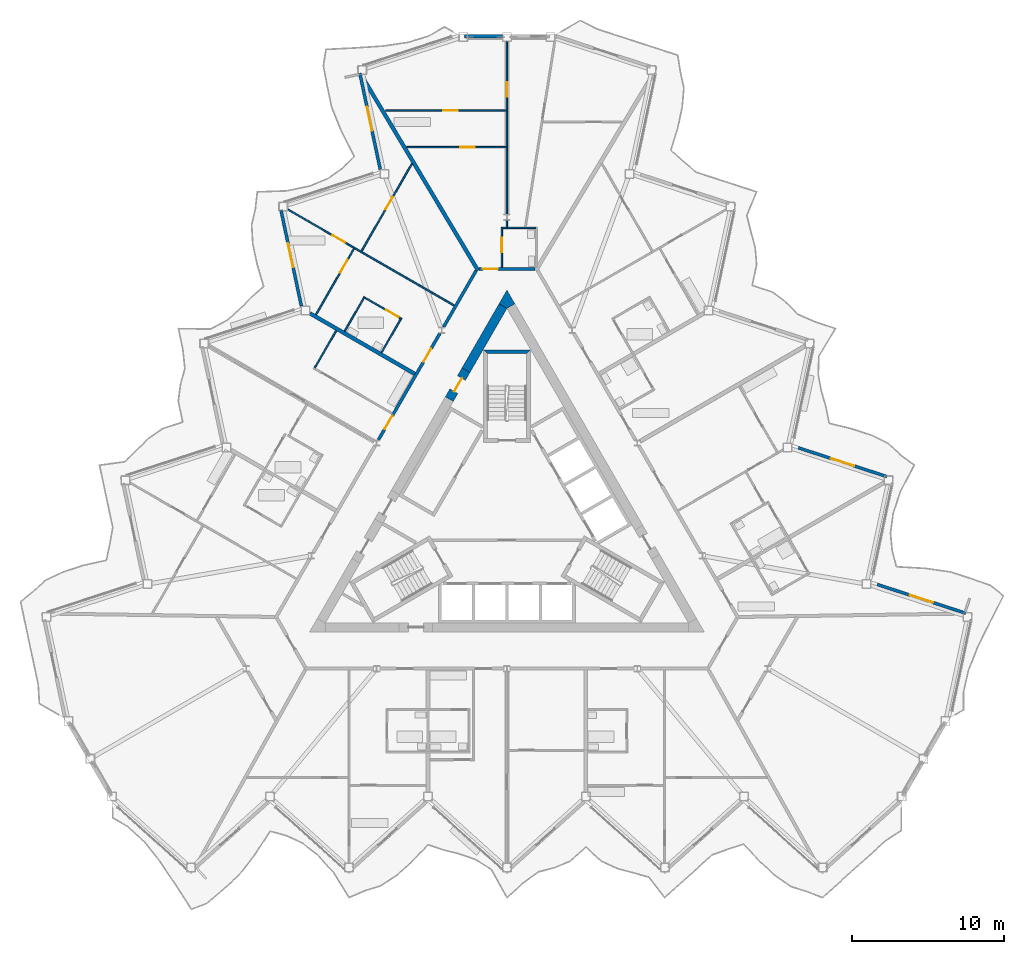
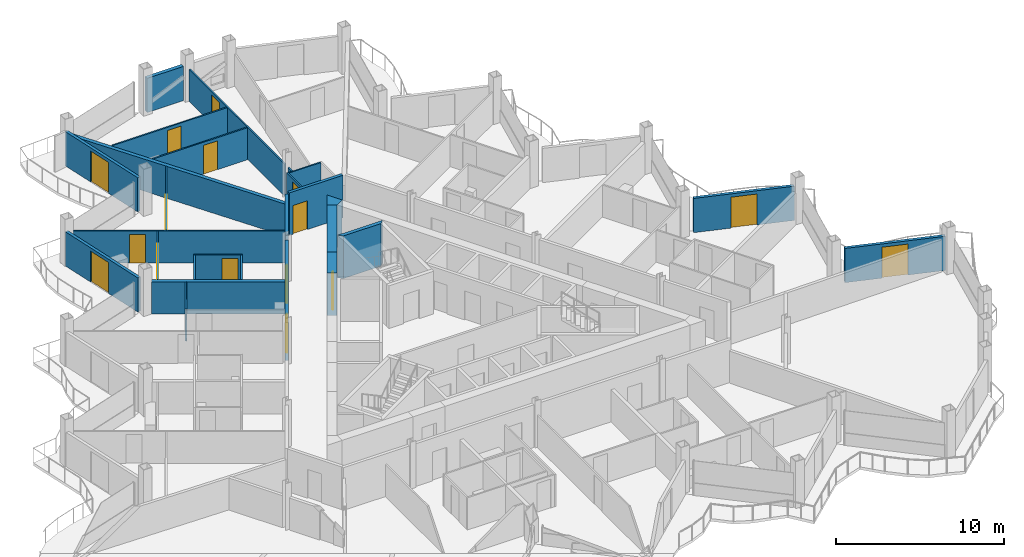
# One storey, part 17 of 26: 27 walls, 16 doors, 16 openings.
"""IFC4 building model written with IfcOpenShell, lengths in metres."""

from ifc_helpers import new_model, si_unit, direction, frame, frame_2d, origin, place, context, subcontext, project, spatial, polyline, rectangle, outline, extrude, material, layer, layer_set, type_object, element, fill, save


model = new_model("IFC4")

# Units and contexts
model_context = context("Model", 3, precision=1e-05, world=origin(), true_north=direction((0.0, 1.0)))
body_context = subcontext(model_context, "Body", "Model", "MODEL_VIEW")
ifc_project = project(units=[si_unit("LENGTHUNIT", "METRE"), si_unit("AREAUNIT", "SQUARE_METRE"), si_unit("VOLUMEUNIT", "CUBIC_METRE"), si_unit("PLANEANGLEUNIT", "RADIAN"), si_unit("MASSUNIT", "GRAM", prefix="KILO")], contexts=[model_context])

# Site, building, storey
site_placement = place(None, origin())
site = spatial("IfcSite", under=ifc_project, at=site_placement, CompositionType="ELEMENT")
building_placement = place(site_placement, origin())
building = spatial("IfcBuilding", under=site, at=building_placement, Name="Cormorant Prow Tower", CompositionType="ELEMENT")
storey_placement = place(building_placement, frame((0.0, 0.0, 322.199951171875)))
storey = spatial("IfcBuildingStorey", under=building, at=storey_placement, Name="L71", CompositionType="ELEMENT", Elevation=322.199951171875)

# Walls
ifc_material_1 = material(Name="Concrete 8000 psi", Category="concrete")
ifc_layer_1 = layer(ifc_material_1, 0.60009765625)
ifc_layer_set_1 = layer_set([ifc_layer_1], Name="Concrete 8000 psi")
wall_type_1 = type_object("IfcWallType", Name="Core shear wall 600", PredefinedType="SHEAR", material=ifc_layer_set_1)
wall_1_placement = place(storey_placement, frame((-0.259765625, 13.961181640625, 0.0), z_axis=(0.0, 0.0, 1.0), x_axis=(-0.50000604952, -0.866021911064, 0.0)))
element("IfcWall", 1, at=wall_1_placement, inside=storey, type_object=wall_type_1, Name="Core wall", PredefinedType="SHEAR", context=body_context, shape_type="SweptSolid", body=[
    extrude(rectangle(XDim=4.86865234375, YDim=0.60009765625, at=frame_2d((2.434326171875, 0.0))), origin(), (0.0, 0.0, 1.0), 3.10009765625),
])
wall_2_placement = place(storey_placement, origin())
element("IfcWall", 2, at=wall_2_placement, inside=storey, type_object=wall_type_1, Name="Core wall corner", PredefinedType="SHEAR", context=body_context, shape_type="SweptSolid", body=[
    extrude(outline(polyline([(-0.51953125, 14.111083984375), (0.0, 15.010986328125), (0.51953125, 14.111083984375), (0.0, 13.81103515625), (-0.51953125, 14.111083984375)])), origin(), (0.0, 0.0, 1.0), 3.10009765625),
])

# Wall, opening, door
wall_3_placement = place(storey_placement, frame((-2.694091796875, 9.744873046875, 0.0), z_axis=(0.0, 0.0, 1.0), x_axis=(-0.50002983664, -0.866008176907, 0.0)))
wall_3 = element("IfcWall", 3, at=wall_3_placement, inside=storey, type_object=wall_type_1, Name="Core wall door panel", PredefinedType="SHEAR", context=body_context, shape_type="SweptSolid", body=[
    extrude(rectangle(XDim=2.199951171875, YDim=0.60009765625, at=frame_2d((1.10009765625, 0.0))), origin(), (0.0, 0.0, 1.0), 3.10009765625),
])
opening_1_placement = place(wall_3_placement, frame((0.60009765625, 0.0, 0.0)))
opening_1 = element("IfcOpeningElement", 4, at=opening_1_placement, cuts=wall_3, Name="Opening L71-C17", PredefinedType="OPENING", context=body_context, shape_type="SweptSolid", body=[
    extrude(rectangle(XDim=1.0, YDim=2.10009765625, at=frame_2d((0.5, 1.050048828125))), frame((0.0, 0.31005859375, 0.0), z_axis=(0.0, -1.0, 0.0), x_axis=(1.0, 0.0, 0.0)), (0.0, 0.0, 1.0), 0.6201171875),
])
ifc_material_2 = material(Name="Painted steel", Category="steel")
door_type_1 = type_object("IfcDoorType", Name="Service door 1000x2100", OperationType="NOTDEFINED", PredefinedType="DOOR", material=ifc_material_2)
door_1_placement = place(opening_1_placement, origin())
door_1 = element("IfcDoor", 5, at=door_1_placement, inside=storey, type_object=door_type_1, Name="Core door, Refuse store", OperationType="SINGLE_SWING_LEFT", OverallHeight=2.10009765625, OverallWidth=1.0, PredefinedType="DOOR", context=body_context, shape_type="SweptSolid", body=[
    extrude(rectangle(XDim=1.0, YDim=2.10009765625, at=frame_2d((0.5, 1.050048828125))), frame((0.0, 0.05517578125, 0.0), z_axis=(0.0, -1.0, 0.0), x_axis=(1.0, 0.0, 0.0)), (0.0, 0.0, 1.0), 0.050048828125),
])
fill(opening_1, door_1)

# Wall, openings, doors
ifc_material_3 = material(Name="Gypsum board corridor wall")
ifc_layer_2 = layer(ifc_material_3, 0.199951171875)
ifc_layer_set_2 = layer_set([ifc_layer_2], Name="Gypsum board corridor wall")
wall_type_2 = type_object("IfcWallType", Name="Corridor wall 200", PredefinedType="PARTITIONING", material=ifc_layer_set_2)
wall_4_placement = place(storey_placement, frame((-8.45849609375, 5.160400390625, 0.0), z_axis=(0.0, 0.0, 1.0), x_axis=(0.499984266882, 0.866034487114, 0.0)))
wall_4 = element("IfcWall", 6, at=wall_4_placement, inside=storey, type_object=wall_type_2, Name="Corridor wall", PredefinedType="PARTITIONING", context=body_context, shape_type="SweptSolid", body=[
    extrude(rectangle(XDim=8.098876953125, YDim=0.199951171875, at=frame_2d((4.04931640625, 0.0))), origin(), (0.0, 0.0, 1.0), 3.10009765625),
])
opening_2_placement = place(wall_4_placement, frame((5.93505859375, 0.0, 0.0)))
opening_2 = element("IfcOpeningElement", 7, at=opening_2_placement, cuts=wall_4, Name="Opening L71-F39", PredefinedType="OPENING", context=body_context, shape_type="SweptSolid", body=[
    extrude(rectangle(XDim=1.0, YDim=2.10009765625, at=frame_2d((0.5, 1.050048828125))), frame((0.0, 0.10986328125, 0.0), z_axis=(0.0, -1.0, 0.0), x_axis=(1.0, 0.0, 0.0)), (0.0, 0.0, 1.0), 0.219970703125),
])
opening_3_placement = place(wall_4_placement, frame((0.829833984375, 0.0, 0.0)))
opening_3 = element("IfcOpeningElement", 8, at=opening_3_placement, cuts=wall_4, Name="Opening L71-F44", PredefinedType="OPENING", context=body_context, shape_type="SweptSolid", body=[
    extrude(rectangle(XDim=1.0, YDim=2.10009765625, at=frame_2d((0.5, 1.050048828125))), frame((0.0, 0.10986328125, 0.0), z_axis=(0.0, -1.0, 0.0), x_axis=(1.0, 0.0, 0.0)), (0.0, 0.0, 1.0), 0.219970703125),
])
ifc_material_4 = material(Name="Timber door leaf", Category="wood")
door_type_2 = type_object("IfcDoorType", Name="Flat or room entrance door 1000x2100", OperationType="NOTDEFINED", PredefinedType="DOOR", material=ifc_material_4)
door_2_placement = place(opening_2_placement, origin())
door_2 = element("IfcDoor", 9, at=door_2_placement, inside=storey, type_object=door_type_2, Name="Living room door", OperationType="SINGLE_SWING_LEFT", OverallHeight=2.10009765625, OverallWidth=1.0, PredefinedType="DOOR", context=body_context, shape_type="SweptSolid", body=[
    extrude(rectangle(XDim=1.0, YDim=2.10009765625, at=frame_2d((0.5, 1.050048828125))), frame((0.0, 0.02490234375, 0.0), z_axis=(0.0, -1.0, 0.0), x_axis=(1.0, 0.0, 0.0)), (0.0, 0.0, 1.0), 0.050048828125),
])
fill(opening_2, door_2)
door_3_placement = place(opening_3_placement, origin())
door_3 = element("IfcDoor", 10, at=door_3_placement, inside=storey, type_object=door_type_2, Name="Living room door", OperationType="SINGLE_SWING_RIGHT", OverallHeight=2.10009765625, OverallWidth=1.0, PredefinedType="DOOR", context=body_context, shape_type="SweptSolid", body=[
    extrude(rectangle(XDim=1.0, YDim=2.10009765625, at=frame_2d((0.5, 1.050048828125))), frame((0.0, 0.02490234375, 0.0), z_axis=(0.0, -1.0, 0.0), x_axis=(1.0, 0.0, 0.0)), (0.0, 0.0, 1.0), 0.050048828125),
])
fill(opening_3, door_3)

# Wall
wall_5_placement = place(storey_placement, frame((-4.169189453125, 12.589599609375, 0.0), z_axis=(0.0, 0.0, 1.0), x_axis=(0.499978750566, 0.866037671803, 0.0)))
element("IfcWall", 11, at=wall_5_placement, inside=storey, type_object=wall_type_2, Name="Corridor wall", PredefinedType="PARTITIONING", context=body_context, shape_type="SweptSolid", body=[
    extrude(rectangle(XDim=4.287841796875, YDim=0.199951171875, at=frame_2d((2.14404296875, 0.0))), origin(), (0.0, 0.0, 1.0), 3.10009765625),
])

# Wall, opening, door
wall_6_placement = place(storey_placement, frame((-1.837890625, 16.4111328125, 0.0), z_axis=(0.0, 0.0, 1.0), x_axis=(1.0, 0.0, 0.0)))
wall_6 = element("IfcWall", 12, at=wall_6_placement, inside=storey, type_object=wall_type_2, Name="Corridor wall", PredefinedType="PARTITIONING", context=body_context, shape_type="SweptSolid", body=[
    extrude(rectangle(XDim=3.67578125, YDim=0.199951171875, at=frame_2d((1.837890625, 0.0))), origin(), (0.0, 0.0, 1.0), 3.10009765625),
])
opening_4_placement = place(wall_6_placement, frame((0.25, 0.0, 0.0)))
opening_4 = element("IfcOpeningElement", 13, at=opening_4_placement, cuts=wall_6, Name="Opening L71-F32", PredefinedType="OPENING", context=body_context, shape_type="SweptSolid", body=[
    extrude(rectangle(XDim=1.0, YDim=2.10009765625, at=frame_2d((0.5, 1.050048828125))), frame((0.0, 0.10986328125, 0.0), z_axis=(0.0, -1.0, 0.0), x_axis=(1.0, 0.0, 0.0)), (0.0, 0.0, 1.0), 0.219970703125),
])
door_4_placement = place(opening_4_placement, origin())
door_4 = element("IfcDoor", 14, at=door_4_placement, inside=storey, type_object=door_type_2, Name="Living room door", OperationType="SINGLE_SWING_RIGHT", OverallHeight=2.10009765625, OverallWidth=1.0, PredefinedType="DOOR", context=body_context, shape_type="SweptSolid", body=[
    extrude(rectangle(XDim=1.0, YDim=2.10009765625, at=frame_2d((0.5, 1.050048828125))), frame((0.0, 0.02490234375, 0.0), z_axis=(0.0, -1.0, 0.0), x_axis=(1.0, 0.0, 0.0)), (0.0, 0.0, 1.0), 0.050048828125),
])
fill(opening_4, door_4)

ifc_material_5 = material(Name="Gypsum board partition")
ifc_layer_3 = layer(ifc_material_5, 0.10009765625)
ifc_layer_set_3 = layer_set([ifc_layer_3], Name="Gypsum board partition")
wall_type_3 = type_object("IfcWallType", Name="Internal partition 100", PredefinedType="PARTITIONING", material=ifc_layer_set_3)
wall_7_placement = place(storey_placement, frame((-14.41650390625, 20.320068359375, 0.0), z_axis=(0.0, 0.0, 1.0), x_axis=(0.866021216079, -0.500007253249, 0.0)))
wall_7 = element("IfcWall", 15, at=wall_7_placement, inside=storey, type_object=wall_type_3, Name="Internal partition", PredefinedType="PARTITIONING", context=body_context, shape_type="SweptSolid", body=[
    extrude(rectangle(XDim=12.639404296875, YDim=0.10009765625, at=frame_2d((6.31982421875, 0.0))), origin(), (0.0, 0.0, 1.0), 2.330078125),
])
opening_5_placement = place(wall_7_placement, frame((3.375, 0.0, 0.0)))
opening_5 = element("IfcOpeningElement", 16, at=opening_5_placement, cuts=wall_7, Name="Opening L71-F42", PredefinedType="OPENING", context=body_context, shape_type="SweptSolid", body=[
    extrude(rectangle(XDim=0.949951171875, YDim=2.10009765625, at=frame_2d((0.47509765625, 1.050048828125))), frame((0.0, 0.06005859375, 0.0), z_axis=(0.0, -1.0, 0.0), x_axis=(1.0, 0.0, 0.0)), (0.0, 0.0, 1.0), 0.1201171875),
])
ifc_material_6 = material(Name="Timber door leaf", Category="wood")
door_type_3 = type_object("IfcDoorType", Name="Bathroom door 950x2100", OperationType="NOTDEFINED", PredefinedType="DOOR", material=ifc_material_6)
door_5_placement = place(opening_5_placement, origin())
door_5 = element("IfcDoor", 17, at=door_5_placement, inside=storey, type_object=door_type_3, Name="Kitchen door", OperationType="SINGLE_SWING_RIGHT", OverallHeight=2.10009765625, OverallWidth=0.949951171875, PredefinedType="DOOR", context=body_context, shape_type="SweptSolid", body=[
    extrude(rectangle(XDim=0.949951171875, YDim=2.10009765625, at=frame_2d((0.47509765625, 1.050048828125))), frame((0.0, 0.02490234375, 0.0), z_axis=(0.0, -1.0, 0.0), x_axis=(1.0, 0.0, 0.0)), (0.0, 0.0, 1.0), 0.050048828125),
])
fill(opening_5, door_5)

wall_8_placement = place(storey_placement, frame((0.0, 20.018798828125, 0.0), z_axis=(0.0, 0.0, 1.0), x_axis=(0.0, 1.0, 0.0)))
wall_8 = element("IfcWall", 18, at=wall_8_placement, inside=storey, type_object=wall_type_3, Name="Internal partition", PredefinedType="PARTITIONING", context=body_context, shape_type="SweptSolid", body=[
    extrude(rectangle(XDim=11.347412109375, YDim=0.10009765625, at=frame_2d((5.673828125, 0.0))), origin(), (0.0, 0.0, 1.0), 2.330078125),
])
opening_6_placement = place(wall_8_placement, frame((7.723388671875, 0.0, 0.0)))
opening_6 = element("IfcOpeningElement", 19, at=opening_6_placement, cuts=wall_8, Name="Opening L71-F36", PredefinedType="OPENING", context=body_context, shape_type="SweptSolid", body=[
    extrude(rectangle(XDim=0.949951171875, YDim=2.10009765625, at=frame_2d((0.47509765625, 1.050048828125))), frame((0.0, 0.06005859375, 0.0), z_axis=(0.0, -1.0, 0.0), x_axis=(1.0, 0.0, 0.0)), (0.0, 0.0, 1.0), 0.1201171875),
])
door_6_placement = place(opening_6_placement, origin())
door_6 = element("IfcDoor", 20, at=door_6_placement, inside=storey, type_object=door_type_3, Name="Dining room door", OperationType="SINGLE_SWING_LEFT", OverallHeight=2.10009765625, OverallWidth=0.949951171875, PredefinedType="DOOR", context=body_context, shape_type="SweptSolid", body=[
    extrude(rectangle(XDim=0.949951171875, YDim=2.10009765625, at=frame_2d((0.47509765625, 1.050048828125))), frame((0.0, 0.02490234375, 0.0), z_axis=(0.0, -1.0, 0.0), x_axis=(1.0, 0.0, 0.0)), (0.0, 0.0, 1.0), 0.050048828125),
])
fill(opening_6, door_6)

wall_9_placement = place(storey_placement, frame((-7.981201171875, 26.8349609375, 0.0), z_axis=(0.0, 0.0, 1.0), x_axis=(1.0, 0.0, 0.0)))
wall_9 = element("IfcWall", 21, at=wall_9_placement, inside=storey, type_object=wall_type_3, Name="Internal partition", PredefinedType="PARTITIONING", context=body_context, shape_type="SweptSolid", body=[
    extrude(rectangle(XDim=7.93115234375, YDim=0.10009765625, at=frame_2d((3.965576171875, 0.0))), origin(), (0.0, 0.0, 1.0), 2.330078125),
])
opening_7_placement = place(wall_9_placement, frame((3.79443359375, 0.0, 0.0)))
opening_7 = element("IfcOpeningElement", 22, at=opening_7_placement, cuts=wall_9, Name="Opening L71-F35", PredefinedType="OPENING", context=body_context, shape_type="SweptSolid", body=[
    extrude(rectangle(XDim=0.949951171875, YDim=2.10009765625, at=frame_2d((0.47509765625, 1.050048828125))), frame((0.0, 0.06005859375, 0.0), z_axis=(0.0, -1.0, 0.0), x_axis=(1.0, 0.0, 0.0)), (0.0, 0.0, 1.0), 0.1201171875),
])
door_7_placement = place(opening_7_placement, origin())
door_7 = element("IfcDoor", 23, at=door_7_placement, inside=storey, type_object=door_type_3, Name="Kitchen door", OperationType="SINGLE_SWING_RIGHT", OverallHeight=2.10009765625, OverallWidth=0.949951171875, PredefinedType="DOOR", context=body_context, shape_type="SweptSolid", body=[
    extrude(rectangle(XDim=0.949951171875, YDim=2.10009765625, at=frame_2d((0.47509765625, 1.050048828125))), frame((0.0, 0.02490234375, 0.0), z_axis=(0.0, -1.0, 0.0), x_axis=(1.0, 0.0, 0.0)), (0.0, 0.0, 1.0), 0.050048828125),
])
fill(opening_7, door_7)

wall_10_placement = place(storey_placement, frame((-9.5751953125, 17.582763671875, 0.0), z_axis=(0.0, 0.0, 1.0), x_axis=(0.499998189891, 0.866026448849, 0.0)))
wall_10 = element("IfcWall", 24, at=wall_10_placement, inside=storey, type_object=wall_type_3, Name="Internal partition", PredefinedType="PARTITIONING", context=body_context, shape_type="SweptSolid", body=[
    extrude(rectangle(XDim=6.66796875, YDim=0.10009765625, at=frame_2d((3.333984375, 0.0))), origin(), (0.0, 0.0, 1.0), 2.330078125),
])
opening_8_placement = place(wall_10_placement, frame((3.159912109375, 0.0, 0.0)))
opening_8 = element("IfcOpeningElement", 25, at=opening_8_placement, cuts=wall_10, Name="Opening L71-F43", PredefinedType="OPENING", context=body_context, shape_type="SweptSolid", body=[
    extrude(rectangle(XDim=0.949951171875, YDim=2.10009765625, at=frame_2d((0.47509765625, 1.050048828125))), frame((0.0, 0.06005859375, 0.0), z_axis=(0.0, -1.0, 0.0), x_axis=(1.0, 0.0, 0.0)), (0.0, 0.0, 1.0), 0.1201171875),
])
door_8_placement = place(opening_8_placement, origin())
door_8 = element("IfcDoor", 26, at=door_8_placement, inside=storey, type_object=door_type_3, Name="Bedroom door", OperationType="SINGLE_SWING_RIGHT", OverallHeight=2.10009765625, OverallWidth=0.949951171875, PredefinedType="DOOR", context=body_context, shape_type="SweptSolid", body=[
    extrude(rectangle(XDim=0.949951171875, YDim=2.10009765625, at=frame_2d((0.47509765625, 1.050048828125))), frame((0.0, 0.02490234375, 0.0), z_axis=(0.0, -1.0, 0.0), x_axis=(1.0, 0.0, 0.0)), (0.0, 0.0, 1.0), 0.050048828125),
])
fill(opening_8, door_8)

wall_11_placement = place(storey_placement, frame((-6.58984375, 24.425048828125, 0.0), z_axis=(0.0, 0.0, 1.0), x_axis=(1.0, 0.0, 0.0)))
wall_11 = element("IfcWall", 27, at=wall_11_placement, inside=storey, type_object=wall_type_3, Name="Internal partition", PredefinedType="PARTITIONING", context=body_context, shape_type="SweptSolid", body=[
    extrude(rectangle(XDim=6.539794921875, YDim=0.10009765625, at=frame_2d((3.27001953125, 0.0))), origin(), (0.0, 0.0, 1.0), 2.330078125),
])
opening_9_placement = place(wall_11_placement, frame((3.507568359375, 0.0, 0.0)))
opening_9 = element("IfcOpeningElement", 28, at=opening_9_placement, cuts=wall_11, Name="Opening L71-F34", PredefinedType="OPENING", context=body_context, shape_type="SweptSolid", body=[
    extrude(rectangle(XDim=0.949951171875, YDim=2.10009765625, at=frame_2d((0.47509765625, 1.050048828125))), frame((0.0, 0.06005859375, 0.0), z_axis=(0.0, -1.0, 0.0), x_axis=(1.0, 0.0, 0.0)), (0.0, 0.0, 1.0), 0.1201171875),
])
door_9_placement = place(opening_9_placement, origin())
door_9 = element("IfcDoor", 29, at=door_9_placement, inside=storey, type_object=door_type_3, Name="Living room door", OperationType="SINGLE_SWING_RIGHT", OverallHeight=2.10009765625, OverallWidth=0.949951171875, PredefinedType="DOOR", context=body_context, shape_type="SweptSolid", body=[
    extrude(rectangle(XDim=0.949951171875, YDim=2.10009765625, at=frame_2d((0.47509765625, 1.050048828125))), frame((0.0, 0.02490234375, 0.0), z_axis=(0.0, -1.0, 0.0), x_axis=(1.0, 0.0, 0.0)), (0.0, 0.0, 1.0), 0.050048828125),
])
fill(opening_9, door_9)

wall_12_placement = place(storey_placement, frame((-12.574951171875, 13.40283203125, 0.0), z_axis=(0.0, 0.0, 1.0), x_axis=(0.499989096993, 0.866031698547, 0.0)))
wall_12 = element("IfcWall", 30, at=wall_12_placement, inside=storey, type_object=wall_type_3, Name="Internal partition", PredefinedType="PARTITIONING", context=body_context, shape_type="SweptSolid", body=[
    extrude(rectangle(XDim=5.01953125, YDim=0.10009765625, at=frame_2d((2.509765625, 0.0))), origin(), (0.0, 0.0, 1.0), 2.330078125),
])
opening_10_placement = place(wall_12_placement, frame((3.207763671875, 0.0, 0.0)))
opening_10 = element("IfcOpeningElement", 31, at=opening_10_placement, cuts=wall_12, Name="Opening L71-F41", PredefinedType="OPENING", context=body_context, shape_type="SweptSolid", body=[
    extrude(rectangle(XDim=0.949951171875, YDim=2.10009765625, at=frame_2d((0.47509765625, 1.050048828125))), frame((0.0, 0.06005859375, 0.0), z_axis=(0.0, -1.0, 0.0), x_axis=(1.0, 0.0, 0.0)), (0.0, 0.0, 1.0), 0.1201171875),
])
door_10_placement = place(opening_10_placement, origin())
door_10 = element("IfcDoor", 32, at=door_10_placement, inside=storey, type_object=door_type_3, Name="Living room door", OperationType="SINGLE_SWING_RIGHT", OverallHeight=2.10009765625, OverallWidth=0.949951171875, PredefinedType="DOOR", context=body_context, shape_type="SweptSolid", body=[
    extrude(rectangle(XDim=0.949951171875, YDim=2.10009765625, at=frame_2d((0.47509765625, 1.050048828125))), frame((0.0, 0.02490234375, 0.0), z_axis=(0.0, -1.0, 0.0), x_axis=(1.0, 0.0, 0.0)), (0.0, 0.0, 1.0), 0.050048828125),
])
fill(opening_10, door_10)

# Wall
wall_13_placement = place(storey_placement, frame((-12.65234375, 9.896728515625, 0.0), z_axis=(0.0, 0.0, 1.0), x_axis=(0.500024172624, 0.866011447264, 0.0)))
element("IfcWall", 33, at=wall_13_placement, inside=storey, type_object=wall_type_3, Name="Internal partition", PredefinedType="PARTITIONING", context=body_context, shape_type="SweptSolid", body=[
    extrude(rectangle(XDim=2.824951171875, YDim=0.10009765625, at=frame_2d((1.41259765625, 0.0))), origin(), (0.0, 0.0, 1.0), 2.330078125),
])

# Wall, opening, door
wall_14_placement = place(storey_placement, frame((-9.4375, 14.564697265625, 0.0), z_axis=(0.0, 0.0, 1.0), x_axis=(0.866032775405, -0.499987231761, 0.0)))
wall_14 = element("IfcWall", 34, at=wall_14_placement, inside=storey, type_object=wall_type_3, Name="Internal partition", PredefinedType="PARTITIONING", context=body_context, shape_type="SweptSolid", body=[
    extrude(rectangle(XDim=2.89990234375, YDim=0.10009765625, at=frame_2d((1.449951171875, 0.0))), origin(), (0.0, 0.0, 1.0), 2.330078125),
])
opening_11_placement = place(wall_14_placement, frame((1.699951171875, 0.0, 0.0)))
opening_11 = element("IfcOpeningElement", 35, at=opening_11_placement, cuts=wall_14, Name="Opening L71-F40", PredefinedType="OPENING", context=body_context, shape_type="SweptSolid", body=[
    extrude(rectangle(XDim=0.949951171875, YDim=2.10009765625, at=frame_2d((0.47509765625, 1.050048828125))), frame((0.0, 0.06005859375, 0.0), z_axis=(0.0, -1.0, 0.0), x_axis=(1.0, 0.0, 0.0)), (0.0, 0.0, 1.0), 0.1201171875),
])
door_11_placement = place(opening_11_placement, origin())
door_11 = element("IfcDoor", 36, at=door_11_placement, inside=storey, type_object=door_type_3, Name="Living room door", OperationType="SINGLE_SWING_RIGHT", OverallHeight=2.10009765625, OverallWidth=0.949951171875, PredefinedType="DOOR", context=body_context, shape_type="SweptSolid", body=[
    extrude(rectangle(XDim=0.949951171875, YDim=2.10009765625, at=frame_2d((0.47509765625, 1.050048828125))), frame((0.0, 0.02490234375, 0.0), z_axis=(0.0, -1.0, 0.0), x_axis=(1.0, 0.0, 0.0)), (0.0, 0.0, 1.0), 0.050048828125),
])
fill(opening_11, door_11)

wall_15_placement = place(storey_placement, frame((-0.3369140625, 16.510986328125, 0.0), z_axis=(0.0, 0.0, 1.0), x_axis=(0.0, 1.0, 0.0)))
wall_15 = element("IfcWall", 37, at=wall_15_placement, inside=storey, type_object=wall_type_3, Name="Internal partition", PredefinedType="PARTITIONING", context=body_context, shape_type="SweptSolid", body=[
    extrude(rectangle(XDim=2.650146484375, YDim=0.10009765625, at=frame_2d((1.3251953125, 0.0))), origin(), (0.0, 0.0, 1.0), 2.330078125),
])
opening_12_placement = place(wall_15_placement, frame((1.013671875, 0.0, 0.0)))
opening_12 = element("IfcOpeningElement", 38, at=opening_12_placement, cuts=wall_15, Name="Opening L71-F33", PredefinedType="OPENING", context=body_context, shape_type="SweptSolid", body=[
    extrude(rectangle(XDim=0.949951171875, YDim=2.10009765625, at=frame_2d((0.47509765625, 1.050048828125))), frame((0.0, 0.06005859375, 0.0), z_axis=(0.0, -1.0, 0.0), x_axis=(1.0, 0.0, 0.0)), (0.0, 0.0, 1.0), 0.1201171875),
])
door_12_placement = place(opening_12_placement, origin())
door_12 = element("IfcDoor", 39, at=door_12_placement, inside=storey, type_object=door_type_3, Name="Living room door", OperationType="SINGLE_SWING_RIGHT", OverallHeight=2.10009765625, OverallWidth=0.949951171875, PredefinedType="DOOR", context=body_context, shape_type="SweptSolid", body=[
    extrude(rectangle(XDim=0.949951171875, YDim=2.10009765625, at=frame_2d((0.47509765625, 1.050048828125))), frame((0.0, 0.02490234375, 0.0), z_axis=(0.0, -1.0, 0.0), x_axis=(1.0, 0.0, 0.0)), (0.0, 0.0, 1.0), 0.050048828125),
])
fill(opening_12, door_12)

# Walls
for number, where, z_axis, x_axis, name in (
    (40, (-10.681640625, 12.309814453125, 0.0), (0.0, 0.0, 1.0), (0.499976333282, 0.866039067339, 0.0), "Internal partition"),
    (41, (-8.2568359375, 10.909912109375, 0.0), (0.0, 0.0, 1.0), (0.50001820224, 0.866014894461, 0.0), "Internal partition"),
):
    element("IfcWall", number, at=place(storey_placement, frame(where, z_axis=z_axis, x_axis=x_axis)), inside=storey, type_object=wall_type_3, Name=name, PredefinedType="PARTITIONING", context=body_context, shape_type="SweptSolid", body=[
        extrude(rectangle(XDim=2.52490234375, YDim=0.10009765625, at=frame_2d((1.262451171875, 0.0))), origin(), (0.0, 0.0, 1.0), 2.330078125),
    ])
wall_16_placement = place(storey_placement, frame((-0.287109375, 19.111083984375, 0.0), z_axis=(0.0, 0.0, 1.0), x_axis=(1.0, 0.0, 0.0)))
element("IfcWall", 42, at=wall_16_placement, inside=storey, type_object=wall_type_3, Name="Internal partition", PredefinedType="PARTITIONING", context=body_context, shape_type="SweptSolid", body=[
    extrude(rectangle(XDim=2.2001953125, YDim=0.10009765625, at=frame_2d((1.10009765625, 0.0))), origin(), (0.0, 0.0, 1.0), 2.330078125),
])
wall_17_placement = place(storey_placement, frame((0.0, 19.1611328125, 0.0), z_axis=(0.0, 0.0, 1.0), x_axis=(0.0, 1.0, 0.0)))
element("IfcWall", 43, at=wall_17_placement, inside=storey, type_object=wall_type_3, Name="Internal partition", PredefinedType="PARTITIONING", context=body_context, shape_type="SweptSolid", body=[
    extrude(rectangle(XDim=0.4423828125, YDim=0.10009765625, at=frame_2d((0.22119140625, 0.0))), origin(), (0.0, 0.0, 1.0), 2.330078125),
])
ifc_material_7 = material(Name="Concrete 8000 psi", Category="concrete")
ifc_layer_4 = layer(ifc_material_7, 0.25)
ifc_layer_set_4 = layer_set([ifc_layer_4], Name="Concrete 8000 psi")
wall_type_4 = type_object("IfcWallType", Name="Stair wall 250", PredefinedType="SHEAR", material=ifc_layer_set_4)
wall_18_placement = place(storey_placement, origin())
element("IfcWall", 44, at=wall_18_placement, inside=storey, type_object=wall_type_4, Name="Stair ST3 enclosure wall (end)", PredefinedType="SHEAR", context=body_context, shape_type="SweptSolid", body=[
    extrude(outline(polyline([(1.5439453125, 11.0869140625), (-1.5439453125, 11.0869140625), (-1.2939453125, 10.8369140625), (1.2939453125, 10.8369140625), (1.5439453125, 11.0869140625)])), origin(), (0.0, 0.0, 1.0), 3.10009765625),
])
ifc_material_8 = material(Name="Acoustic gypsum party wall")
ifc_layer_5 = layer(ifc_material_8, 0.25)
ifc_layer_set_5 = layer_set([ifc_layer_5], Name="Acoustic gypsum party wall")
wall_type_5 = type_object("IfcWallType", Name="Suite party wall 250", PredefinedType="PARTITIONING", material=ifc_layer_set_5)
wall_19_placement = place(storey_placement, frame((-9.493408203125, 29.012451171875, 0.0), z_axis=(0.0, 0.0, 1.0), x_axis=(0.512967150926, -0.85840823742, 0.0)))
element("IfcWall", 45, at=wall_19_placement, inside=storey, type_object=wall_type_5, Name="Suite party wall", PredefinedType="PARTITIONING", context=body_context, shape_type="SweptSolid", body=[
    extrude(rectangle(XDim=14.804931640625, YDim=0.25, at=frame_2d((7.40234375, 0.0))), origin(), (0.0, 0.0, 1.0), 2.330078125),
])
wall_20_placement = place(storey_placement, frame((-12.9619140625, 13.48193359375, 0.0), z_axis=(0.0, 0.0, 1.0), x_axis=(0.866022671543, -0.50000473235, 0.0)))
element("IfcWall", 46, at=wall_20_placement, inside=storey, type_object=wall_type_5, Name="Suite party wall", PredefinedType="PARTITIONING", context=body_context, shape_type="SweptSolid", body=[
    extrude(rectangle(XDim=7.9609375, YDim=0.25, at=frame_2d((3.98046875, 0.0))), origin(), (0.0, 0.0, 1.0), 2.330078125),
])
ifc_material_9 = material(Name="Terracotta", Category="masonry")
ifc_layer_6 = layer(ifc_material_9, 0.25)
ifc_layer_set_6 = layer_set([ifc_layer_6], Name="Terracotta")
wall_type_6 = type_object("IfcWallType", Name="Terracotta bay wall 250", PredefinedType="SOLIDWALL", material=ifc_layer_set_6)
wall_21_placement = place(storey_placement, frame((-0.300048828125, 31.727783203125, 0.0), z_axis=(0.0, 0.0, 1.0), x_axis=(-1.0, 0.0, 0.0)))
element("IfcWall", 47, at=wall_21_placement, inside=storey, type_object=wall_type_6, Name="Terracotta bay wall N01", PredefinedType="SOLIDWALL", context=body_context, shape_type="SweptSolid", body=[
    extrude(rectangle(XDim=2.489501953125, YDim=0.25, at=frame_2d((1.24462890625, 0.0))), origin(), (0.0, 0.0, 1.0), 2.488037109375),
])

# Wall, opening, door
ifc_material_10 = material(Name="Terracotta", Category="masonry")
ifc_layer_7 = layer(ifc_material_10, 0.199951171875)
ifc_layer_set_7 = layer_set([ifc_layer_7], Name="Terracotta")
wall_type_7 = type_object("IfcWallType", Name="Terracotta jamb wall 200", PredefinedType="SOLIDWALL", material=ifc_layer_set_7)
wall_22_placement = place(storey_placement, frame((30.206787109375, -6.25830078125, 0.0), z_axis=(0.0, 0.0, 1.0), x_axis=(-0.951056631566, 0.309016639608, 0.0)))
wall_22 = element("IfcWall", 48, at=wall_22_placement, inside=storey, type_object=wall_type_7, Name="Terracotta jamb wall ENE01", PredefinedType="SOLIDWALL", context=body_context, shape_type="SweptSolid", body=[
    extrude(rectangle(XDim=6.1220703125, YDim=0.199951171875, at=frame_2d((3.06103515625, 0.0))), origin(), (0.0, 0.0, 1.0), 2.488037109375),
])
opening_13_placement = place(wall_22_placement, frame((2.260986328125, 0.0, 0.0)))
opening_13 = element("IfcOpeningElement", 49, at=opening_13_placement, cuts=wall_22, Name="Opening ED71.06", PredefinedType="OPENING", context=body_context, shape_type="SweptSolid", body=[
    extrude(rectangle(XDim=1.60009765625, YDim=2.25, at=frame_2d((0.800048828125, 1.125))), frame((0.0, 0.10986328125, 0.0), z_axis=(0.0, -1.0, 0.0), x_axis=(1.0, 0.0, 0.0)), (0.0, 0.0, 1.0), 0.219970703125),
])
ifc_material_11 = material(Name="Aluminium 6063-T6", Category="aluminium")
door_type_4 = type_object("IfcDoorType", Name="Balcony door 1600x2250", OperationType="DOUBLE_DOOR_SINGLE_SWING", PredefinedType="DOOR", material=ifc_material_11)
door_13_placement = place(opening_13_placement, origin())
door_13 = element("IfcDoor", 50, at=door_13_placement, inside=storey, type_object=door_type_4, Name="Balcony door ENE01 ED71.06", OperationType="DOUBLE_DOOR_SINGLE_SWING", OverallHeight=2.25, OverallWidth=1.60009765625, PredefinedType="DOOR", context=body_context, shape_type="SweptSolid", body=[
    extrude(rectangle(XDim=1.60009765625, YDim=2.25, at=frame_2d((0.800048828125, 1.125))), frame((0.0, 0.02490234375, 0.0), z_axis=(0.0, -1.0, 0.0), x_axis=(1.0, 0.0, 0.0)), (0.0, 0.0, 1.0), 0.050048828125),
])
fill(opening_13, door_13)

wall_23_placement = place(storey_placement, frame((25.01220703125, 2.7392578125, 0.0), z_axis=(0.0, 0.0, 1.0), x_axis=(-0.951056631566, 0.309016639608, 0.0)))
wall_23 = element("IfcWall", 51, at=wall_23_placement, inside=storey, type_object=wall_type_7, Name="Terracotta jamb wall ENE03", PredefinedType="SOLIDWALL", context=body_context, shape_type="SweptSolid", body=[
    extrude(rectangle(XDim=6.1220703125, YDim=0.199951171875, at=frame_2d((3.06103515625, 0.0))), origin(), (0.0, 0.0, 1.0), 2.488037109375),
])
opening_14_placement = place(wall_23_placement, frame((2.260986328125, 0.0, 0.0)))
opening_14 = element("IfcOpeningElement", 52, at=opening_14_placement, cuts=wall_23, Name="Opening ED71.07", PredefinedType="OPENING", context=body_context, shape_type="SweptSolid", body=[
    extrude(rectangle(XDim=1.60009765625, YDim=2.25, at=frame_2d((0.800048828125, 1.125))), frame((0.0, 0.10986328125, 0.0), z_axis=(0.0, -1.0, 0.0), x_axis=(1.0, 0.0, 0.0)), (0.0, 0.0, 1.0), 0.219970703125),
])
door_14_placement = place(opening_14_placement, origin())
door_14 = element("IfcDoor", 53, at=door_14_placement, inside=storey, type_object=door_type_4, Name="Balcony door ENE03 ED71.07", OperationType="DOUBLE_DOOR_SINGLE_SWING", OverallHeight=2.25, OverallWidth=1.60009765625, PredefinedType="DOOR", context=body_context, shape_type="SweptSolid", body=[
    extrude(rectangle(XDim=1.60009765625, YDim=2.25, at=frame_2d((0.800048828125, 1.125))), frame((0.0, 0.02490234375, 0.0), z_axis=(0.0, -1.0, 0.0), x_axis=(1.0, 0.0, 0.0)), (0.0, 0.0, 1.0), 0.050048828125),
])
fill(opening_14, door_14)

wall_24_placement = place(storey_placement, frame((-9.68359375, 29.2890625, 0.0), z_axis=(0.0, 0.0, 1.0), x_axis=(0.207920686021, -0.978145688701, 0.0)))
wall_24 = element("IfcWall", 54, at=wall_24_placement, inside=storey, type_object=wall_type_7, Name="Terracotta jamb wall WNW01", PredefinedType="SOLIDWALL", context=body_context, shape_type="SweptSolid", body=[
    extrude(rectangle(XDim=6.459228515625, YDim=0.199951171875, at=frame_2d((3.2294921875, 0.0))), origin(), (0.0, 0.0, 1.0), 2.488037109375),
])
opening_15_placement = place(wall_24_placement, frame((2.260986328125, 0.0, 0.0)))
opening_15 = element("IfcOpeningElement", 55, at=opening_15_placement, cuts=wall_24, Name="Opening ED71.11", PredefinedType="OPENING", context=body_context, shape_type="SweptSolid", body=[
    extrude(rectangle(XDim=1.60009765625, YDim=2.25, at=frame_2d((0.800048828125, 1.125))), frame((0.0, 0.10986328125, 0.0), z_axis=(0.0, -1.0, 0.0), x_axis=(1.0, 0.0, 0.0)), (0.0, 0.0, 1.0), 0.219970703125),
])
door_15_placement = place(opening_15_placement, origin())
door_15 = element("IfcDoor", 56, at=door_15_placement, inside=storey, type_object=door_type_4, Name="Balcony door WNW01 ED71.11", OperationType="DOUBLE_DOOR_SINGLE_SWING", OverallHeight=2.25, OverallWidth=1.60009765625, PredefinedType="DOOR", context=body_context, shape_type="SweptSolid", body=[
    extrude(rectangle(XDim=1.60009765625, YDim=2.25, at=frame_2d((0.800048828125, 1.125))), frame((0.0, 0.02490234375, 0.0), z_axis=(0.0, -1.0, 0.0), x_axis=(1.0, 0.0, 0.0)), (0.0, 0.0, 1.0), 0.050048828125),
])
fill(opening_15, door_15)

wall_25_placement = place(storey_placement, frame((-14.87841796875, 20.29150390625, 0.0), z_axis=(0.0, 0.0, 1.0), x_axis=(0.207943189785, -0.978140904892, 0.0)))
wall_25 = element("IfcWall", 57, at=wall_25_placement, inside=storey, type_object=wall_type_7, Name="Terracotta jamb wall WNW03", PredefinedType="SOLIDWALL", context=body_context, shape_type="SweptSolid", body=[
    extrude(rectangle(XDim=6.466796875, YDim=0.199951171875, at=frame_2d((3.2333984375, 0.0))), origin(), (0.0, 0.0, 1.0), 2.488037109375),
])
opening_16_placement = place(wall_25_placement, frame((2.260986328125, 0.0, 0.0)))
opening_16 = element("IfcOpeningElement", 58, at=opening_16_placement, cuts=wall_25, Name="Opening ED71.12", PredefinedType="OPENING", context=body_context, shape_type="SweptSolid", body=[
    extrude(rectangle(XDim=1.60009765625, YDim=2.25, at=frame_2d((0.800048828125, 1.125))), frame((0.0, 0.10986328125, 0.0), z_axis=(0.0, -1.0, 0.0), x_axis=(1.0, 0.0, 0.0)), (0.0, 0.0, 1.0), 0.219970703125),
])
door_16_placement = place(opening_16_placement, origin())
door_16 = element("IfcDoor", 59, at=door_16_placement, inside=storey, type_object=door_type_4, Name="Balcony door WNW03 ED71.12", OperationType="DOUBLE_DOOR_SINGLE_SWING", OverallHeight=2.25, OverallWidth=1.60009765625, PredefinedType="DOOR", context=body_context, shape_type="SweptSolid", body=[
    extrude(rectangle(XDim=1.60009765625, YDim=2.25, at=frame_2d((0.800048828125, 1.125))), frame((0.0, 0.02490234375, 0.0), z_axis=(0.0, -1.0, 0.0), x_axis=(1.0, 0.0, 0.0)), (0.0, 0.0, 1.0), 0.050048828125),
])
fill(opening_16, door_16)

save(model, "model.ifc")
